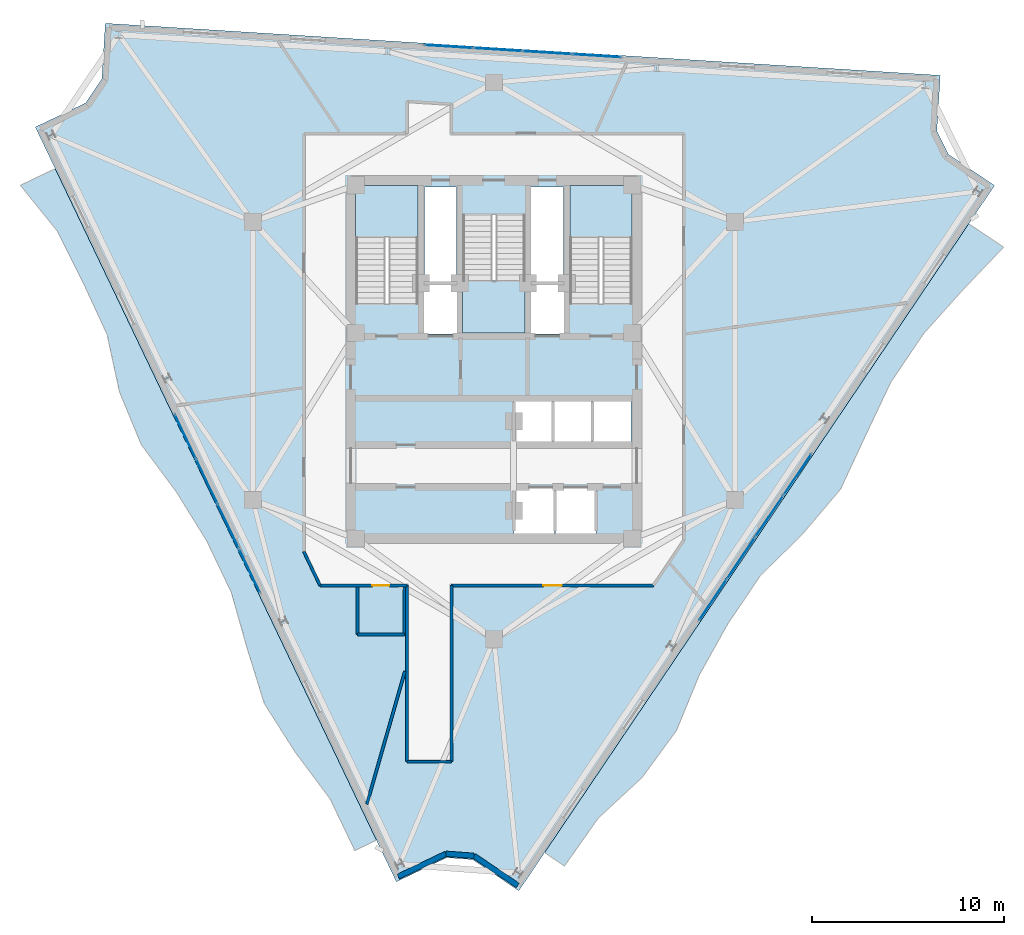
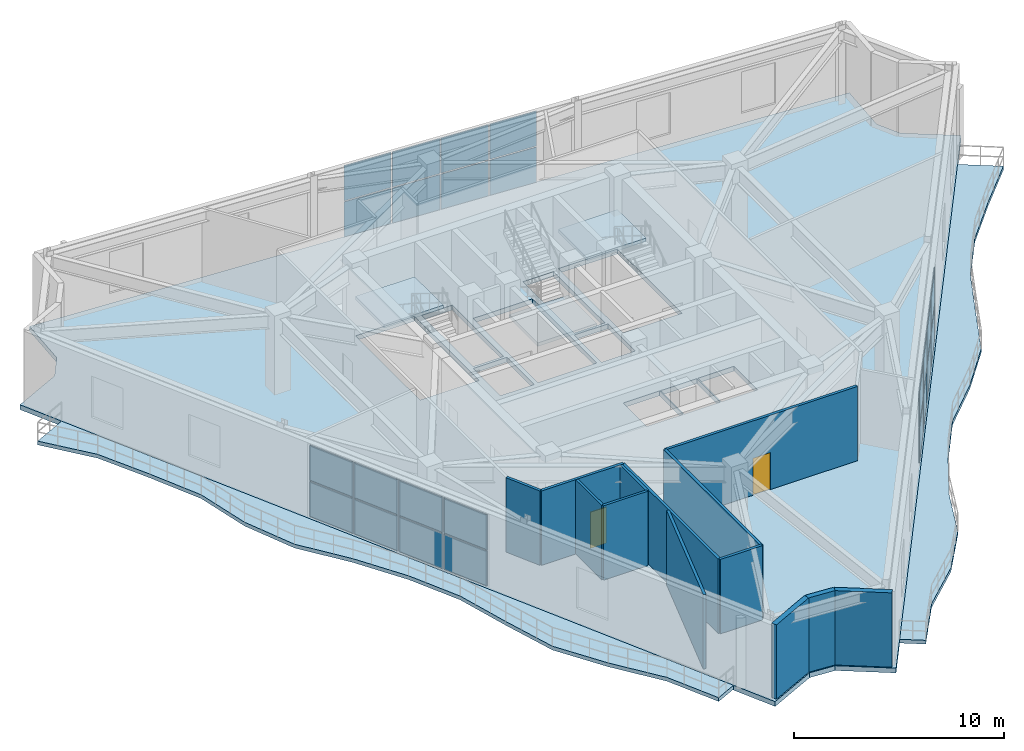
# One storey, part 9 of 15: 24 plates, 13 walls, 6 slabs, 2 doors, 2 openings, 6 elements without a shape of their own.
"""IFC4 building model written with IfcOpenShell, lengths in metres."""

from ifc_helpers import new_model, si_unit, direction, frame, frame_2d, origin, origin_2d, place, context, subcontext, project, spatial, polyline, rectangle, outline, extrude, material, layer, layer_set, type_object, element, fill, aggregate, save


model = new_model("IFC4")

# Units and contexts
model_context = context("Model", 3, precision=1e-05, world=origin(), true_north=direction((0.0, 1.0)))
body_context = subcontext(model_context, "Body", "Model", "MODEL_VIEW")
ifc_project = project(units=[si_unit("LENGTHUNIT", "METRE"), si_unit("AREAUNIT", "SQUARE_METRE"), si_unit("VOLUMEUNIT", "CUBIC_METRE"), si_unit("PLANEANGLEUNIT", "RADIAN"), si_unit("MASSUNIT", "GRAM", prefix="KILO")], contexts=[model_context])

# Site, building, storey
site_placement = place(None, origin())
site = spatial("IfcSite", under=ifc_project, at=site_placement, CompositionType="ELEMENT")
building_placement = place(site_placement, origin())
building = spatial("IfcBuilding", under=site, at=building_placement, Name="Apsidion Concourse Tower", CompositionType="ELEMENT")
storey_placement = place(building_placement, frame((0.0, 0.0, 318.800048828125)))
storey = spatial("IfcBuildingStorey", under=building, at=storey_placement, Name="L75", CompositionType="ELEMENT", Elevation=318.800048828125)

# Curtain wall, plates
ifc_material_1 = material(Name="Insulated laminated low-E glass", Category="glass")
ifc_layer_1 = layer(ifc_material_1, 0.22998046875)
ifc_layer_set_1 = layer_set([ifc_layer_1], Name="Insulated laminated low-E glass")
curtain_wall_type = type_object("IfcCurtainWallType", Name="CW-SYS-05", PredefinedType="NOTDEFINED", material=ifc_layer_set_1)
curtain_wall_1_placement = place(storey_placement, origin())
curtain_wall_1 = element("IfcCurtainWall", 1, at=curtain_wall_1_placement, inside=storey, type_object=curtain_wall_type, Name="L75 Sky Observatory Curtain Wall 1", PredefinedType="NOTDEFINED")
ifc_layer_2 = layer(ifc_material_1, 0.0400390625)
ifc_layer_set_2 = layer_set([ifc_layer_2], Name="Insulated laminated low-E glass")
plate_type = type_object("IfcPlateType", Name="CWP-GLZ-40", PredefinedType="CURTAIN_PANEL", material=ifc_layer_set_2)
plate_1_placement = place(storey_placement, frame((-2.364013671875, 16.383056640625, 0.06494140625), z_axis=(0.0, 0.0, 1.0), x_axis=(0.99806064269, -0.062249124598, 0.0)))
plate_1 = element("IfcPlate", 2, at=plate_1_placement, type_object=plate_type, Name="CW-05 panel 1.1", PredefinedType="CURTAIN_PANEL", context=body_context, shape_type="SweptSolid", body=[
    extrude(rectangle(XDim=2.493408203125, YDim=0.0400390625, at=origin_2d()), origin(), (0.0, 0.0, 1.0), 2.03759765625),
])
plate_2_placement = place(storey_placement, frame((-2.364013671875, 16.383056640625, 2.16748046875), z_axis=(0.0, 0.0, 1.0), x_axis=(0.99806064269, -0.062249124598, 0.0)))
plate_2 = element("IfcPlate", 3, at=plate_2_placement, type_object=plate_type, Name="CW-05 panel 1.2", PredefinedType="CURTAIN_PANEL", context=body_context, shape_type="SweptSolid", body=[
    extrude(rectangle(XDim=2.493408203125, YDim=0.0400390625, at=origin_2d()), origin(), (0.0, 0.0, 1.0), 2.03759765625),
])
plate_3_placement = place(storey_placement, frame((0.20556640625, 16.222900390625, 0.06494140625), z_axis=(0.0, 0.0, 1.0), x_axis=(0.99806064269, -0.062249124598, 0.0)))
plate_3 = element("IfcPlate", 4, at=plate_3_placement, type_object=plate_type, Name="CW-05 panel 2.1", PredefinedType="CURTAIN_PANEL", context=body_context, shape_type="SweptSolid", body=[
    extrude(rectangle(XDim=2.52587890625, YDim=0.0400390625, at=origin_2d()), origin(), (0.0, 0.0, 1.0), 2.03759765625),
])
plate_4_placement = place(storey_placement, frame((0.20556640625, 16.222900390625, 2.16748046875), z_axis=(0.0, 0.0, 1.0), x_axis=(0.99806064269, -0.062249124598, 0.0)))
plate_4 = element("IfcPlate", 5, at=plate_4_placement, type_object=plate_type, Name="CW-05 panel 2.2", PredefinedType="CURTAIN_PANEL", context=body_context, shape_type="SweptSolid", body=[
    extrude(rectangle(XDim=2.52587890625, YDim=0.0400390625, at=origin_2d()), origin(), (0.0, 0.0, 1.0), 2.03759765625),
])
plate_5_placement = place(storey_placement, frame((2.791259765625, 16.0615234375, 0.06494140625), z_axis=(0.0, 0.0, 1.0), x_axis=(0.99806064269, -0.062249124598, 0.0)))
plate_5 = element("IfcPlate", 6, at=plate_5_placement, type_object=plate_type, Name="CW-05 panel 3.1", PredefinedType="CURTAIN_PANEL", context=body_context, shape_type="SweptSolid", body=[
    extrude(rectangle(XDim=2.52587890625, YDim=0.0400390625, at=origin_2d()), origin(), (0.0, 0.0, 1.0), 2.03759765625),
])
plate_6_placement = place(storey_placement, frame((2.791259765625, 16.0615234375, 2.16748046875), z_axis=(0.0, 0.0, 1.0), x_axis=(0.99806064269, -0.062249124598, 0.0)))
plate_6 = element("IfcPlate", 7, at=plate_6_placement, type_object=plate_type, Name="CW-05 panel 3.2", PredefinedType="CURTAIN_PANEL", context=body_context, shape_type="SweptSolid", body=[
    extrude(rectangle(XDim=2.52587890625, YDim=0.0400390625, at=origin_2d()), origin(), (0.0, 0.0, 1.0), 2.03759765625),
])
plate_7_placement = place(storey_placement, frame((5.36083984375, 15.9013671875, 0.06494140625), z_axis=(0.0, 0.0, 1.0), x_axis=(0.99806064269, -0.062249124598, 0.0)))
plate_7 = element("IfcPlate", 8, at=plate_7_placement, type_object=plate_type, Name="CW-05 panel 4.1", PredefinedType="CURTAIN_PANEL", context=body_context, shape_type="SweptSolid", body=[
    extrude(rectangle(XDim=2.493408203125, YDim=0.0400390625, at=origin_2d()), origin(), (0.0, 0.0, 1.0), 2.03759765625),
])
plate_8_placement = place(storey_placement, frame((5.36083984375, 15.9013671875, 2.16748046875), z_axis=(0.0, 0.0, 1.0), x_axis=(0.99806064269, -0.062249124598, 0.0)))
plate_8 = element("IfcPlate", 9, at=plate_8_placement, type_object=plate_type, Name="CW-05 panel 4.2", PredefinedType="CURTAIN_PANEL", context=body_context, shape_type="SweptSolid", body=[
    extrude(rectangle(XDim=2.493408203125, YDim=0.0400390625, at=origin_2d()), origin(), (0.0, 0.0, 1.0), 2.03759765625),
])
aggregate(curtain_wall_1, [plate_1, plate_2, plate_3, plate_4, plate_5, plate_6, plate_7, plate_8])

curtain_wall_2_placement = place(storey_placement, origin())
curtain_wall_2 = element("IfcCurtainWall", 10, at=curtain_wall_2_placement, inside=storey, type_object=curtain_wall_type, Name="L75 Sky Observatory Curtain Wall 5", PredefinedType="NOTDEFINED")
plate_9_placement = place(storey_placement, frame((15.813720703125, -5.9189453125, 0.06494140625), z_axis=(0.0, 0.0, 1.0), x_axis=(-0.559193841437, -0.829036939888, 0.0)))
plate_9 = element("IfcPlate", 11, at=plate_9_placement, type_object=plate_type, Name="CW-05 panel 1.1", PredefinedType="CURTAIN_PANEL", context=body_context, shape_type="SweptSolid", body=[
    extrude(rectangle(XDim=2.537353515625, YDim=0.0400390625, at=origin_2d()), origin(), (0.0, 0.0, 1.0), 2.03759765625),
])
plate_10_placement = place(storey_placement, frame((15.813720703125, -5.9189453125, 2.16748046875), z_axis=(0.0, 0.0, 1.0), x_axis=(-0.559193841437, -0.829036939888, 0.0)))
plate_10 = element("IfcPlate", 12, at=plate_10_placement, type_object=plate_type, Name="CW-05 panel 1.2", PredefinedType="CURTAIN_PANEL", context=body_context, shape_type="SweptSolid", body=[
    extrude(rectangle(XDim=2.537353515625, YDim=0.0400390625, at=origin_2d()), origin(), (0.0, 0.0, 1.0), 2.03759765625),
])
plate_11_placement = place(storey_placement, frame((14.349609375, -8.08984375, 0.06494140625), z_axis=(0.0, 0.0, 1.0), x_axis=(-0.559193841437, -0.829036939888, 0.0)))
plate_11 = element("IfcPlate", 13, at=plate_11_placement, type_object=plate_type, Name="CW-05 panel 2.1", PredefinedType="CURTAIN_PANEL", context=body_context, shape_type="SweptSolid", body=[
    extrude(rectangle(XDim=2.56982421875, YDim=0.0400390625, at=origin_2d()), origin(), (0.0, 0.0, 1.0), 2.03759765625),
])
plate_12_placement = place(storey_placement, frame((14.349609375, -8.08984375, 2.16748046875), z_axis=(0.0, 0.0, 1.0), x_axis=(-0.559193841437, -0.829036939888, 0.0)))
plate_12 = element("IfcPlate", 14, at=plate_12_placement, type_object=plate_type, Name="CW-05 panel 2.2", PredefinedType="CURTAIN_PANEL", context=body_context, shape_type="SweptSolid", body=[
    extrude(rectangle(XDim=2.56982421875, YDim=0.0400390625, at=origin_2d()), origin(), (0.0, 0.0, 1.0), 2.03759765625),
])
plate_13_placement = place(storey_placement, frame((12.876220703125, -10.274169921875, 0.06494140625), z_axis=(0.0, 0.0, 1.0), x_axis=(-0.559193841437, -0.829036939888, 0.0)))
plate_13 = element("IfcPlate", 15, at=plate_13_placement, type_object=plate_type, Name="CW-05 panel 3.1", PredefinedType="CURTAIN_PANEL", context=body_context, shape_type="SweptSolid", body=[
    extrude(rectangle(XDim=2.56982421875, YDim=0.0400390625, at=origin_2d()), origin(), (0.0, 0.0, 1.0), 2.03759765625),
])
plate_14_placement = place(storey_placement, frame((12.876220703125, -10.274169921875, 2.16748046875), z_axis=(0.0, 0.0, 1.0), x_axis=(-0.559193841437, -0.829036939888, 0.0)))
plate_14 = element("IfcPlate", 16, at=plate_14_placement, type_object=plate_type, Name="CW-05 panel 3.2", PredefinedType="CURTAIN_PANEL", context=body_context, shape_type="SweptSolid", body=[
    extrude(rectangle(XDim=2.56982421875, YDim=0.0400390625, at=origin_2d()), origin(), (0.0, 0.0, 1.0), 2.03759765625),
])
plate_15_placement = place(storey_placement, frame((11.411865234375, -12.445068359375, 0.06494140625), z_axis=(0.0, 0.0, 1.0), x_axis=(-0.559193841437, -0.829036939888, 0.0)))
plate_15 = element("IfcPlate", 17, at=plate_15_placement, type_object=plate_type, Name="CW-05 panel 4.1", PredefinedType="CURTAIN_PANEL", context=body_context, shape_type="SweptSolid", body=[
    extrude(rectangle(XDim=2.537353515625, YDim=0.0400390625, at=origin_2d()), origin(), (0.0, 0.0, 1.0), 2.03759765625),
])
plate_16_placement = place(storey_placement, frame((11.411865234375, -12.445068359375, 2.16748046875), z_axis=(0.0, 0.0, 1.0), x_axis=(-0.559193841437, -0.829036939888, 0.0)))
plate_16 = element("IfcPlate", 18, at=plate_16_placement, type_object=plate_type, Name="CW-05 panel 4.2", PredefinedType="CURTAIN_PANEL", context=body_context, shape_type="SweptSolid", body=[
    extrude(rectangle(XDim=2.537353515625, YDim=0.0400390625, at=origin_2d()), origin(), (0.0, 0.0, 1.0), 2.03759765625),
])
aggregate(curtain_wall_2, [plate_9, plate_10, plate_11, plate_12, plate_13, plate_14, plate_15, plate_16])

curtain_wall_3_placement = place(storey_placement, origin())
curtain_wall_3 = element("IfcCurtainWall", 19, at=curtain_wall_3_placement, inside=storey, type_object=curtain_wall_type, Name="L75 Sky Observatory Curtain Wall 9", PredefinedType="NOTDEFINED")
plate_17_placement = place(storey_placement, frame((-12.7353515625, -10.92724609375, 0.06494140625), z_axis=(0.0, 0.0, 1.0), x_axis=(-0.431594801771, 0.902067584544, 0.0)))
plate_17 = element("IfcPlate", 20, at=plate_17_placement, type_object=plate_type, Name="CW-05 panel 1.1", PredefinedType="CURTAIN_PANEL", context=body_context, shape_type="SweptSolid", body=[
    extrude(rectangle(XDim=2.493408203125, YDim=0.0400390625, at=origin_2d()), origin(), (0.0, 0.0, 1.0), 2.03759765625),
])
plate_18_placement = place(storey_placement, frame((-12.7353515625, -10.92724609375, 2.16748046875), z_axis=(0.0, 0.0, 1.0), x_axis=(-0.431594801771, 0.902067584544, 0.0)))
plate_18 = element("IfcPlate", 21, at=plate_18_placement, type_object=plate_type, Name="CW-05 panel 1.2", PredefinedType="CURTAIN_PANEL", context=body_context, shape_type="SweptSolid", body=[
    extrude(rectangle(XDim=2.493408203125, YDim=0.0400390625, at=origin_2d()), origin(), (0.0, 0.0, 1.0), 2.03759765625),
])
plate_19_placement = place(storey_placement, frame((-13.846435546875, -8.60498046875, 0.06494140625), z_axis=(0.0, 0.0, 1.0), x_axis=(-0.431594801771, 0.902067584544, 0.0)))
plate_19 = element("IfcPlate", 22, at=plate_19_placement, type_object=plate_type, Name="CW-05 panel 2.1", PredefinedType="CURTAIN_PANEL", context=body_context, shape_type="SweptSolid", body=[
    extrude(rectangle(XDim=2.52587890625, YDim=0.0400390625, at=origin_2d()), origin(), (0.0, 0.0, 1.0), 2.03759765625),
])
plate_20_placement = place(storey_placement, frame((-13.846435546875, -8.60498046875, 2.16748046875), z_axis=(0.0, 0.0, 1.0), x_axis=(-0.431594801771, 0.902067584544, 0.0)))
plate_20 = element("IfcPlate", 23, at=plate_20_placement, type_object=plate_type, Name="CW-05 panel 2.2", PredefinedType="CURTAIN_PANEL", context=body_context, shape_type="SweptSolid", body=[
    extrude(rectangle(XDim=2.52587890625, YDim=0.0400390625, at=origin_2d()), origin(), (0.0, 0.0, 1.0), 2.03759765625),
])
plate_21_placement = place(storey_placement, frame((-14.964599609375, -6.267822265625, 0.06494140625), z_axis=(0.0, 0.0, 1.0), x_axis=(-0.431594801771, 0.902067584544, 0.0)))
plate_21 = element("IfcPlate", 24, at=plate_21_placement, type_object=plate_type, Name="CW-05 panel 3.1", PredefinedType="CURTAIN_PANEL", context=body_context, shape_type="SweptSolid", body=[
    extrude(rectangle(XDim=2.52587890625, YDim=0.0400390625, at=origin_2d()), origin(), (0.0, 0.0, 1.0), 2.03759765625),
])
plate_22_placement = place(storey_placement, frame((-14.964599609375, -6.267822265625, 2.16748046875), z_axis=(0.0, 0.0, 1.0), x_axis=(-0.431594801771, 0.902067584544, 0.0)))
plate_22 = element("IfcPlate", 25, at=plate_22_placement, type_object=plate_type, Name="CW-05 panel 3.2", PredefinedType="CURTAIN_PANEL", context=body_context, shape_type="SweptSolid", body=[
    extrude(rectangle(XDim=2.52587890625, YDim=0.0400390625, at=origin_2d()), origin(), (0.0, 0.0, 1.0), 2.03759765625),
])
plate_23_placement = place(storey_placement, frame((-16.07568359375, -3.9453125, 0.06494140625), z_axis=(0.0, 0.0, 1.0), x_axis=(-0.431594801771, 0.902067584544, 0.0)))
plate_23 = element("IfcPlate", 26, at=plate_23_placement, type_object=plate_type, Name="CW-05 panel 4.1", PredefinedType="CURTAIN_PANEL", context=body_context, shape_type="SweptSolid", body=[
    extrude(rectangle(XDim=2.493408203125, YDim=0.0400390625, at=origin_2d()), origin(), (0.0, 0.0, 1.0), 2.03759765625),
])
plate_24_placement = place(storey_placement, frame((-16.07568359375, -3.9453125, 2.16748046875), z_axis=(0.0, 0.0, 1.0), x_axis=(-0.431594801771, 0.902067584544, 0.0)))
plate_24 = element("IfcPlate", 27, at=plate_24_placement, type_object=plate_type, Name="CW-05 panel 4.2", PredefinedType="CURTAIN_PANEL", context=body_context, shape_type="SweptSolid", body=[
    extrude(rectangle(XDim=2.493408203125, YDim=0.0400390625, at=origin_2d()), origin(), (0.0, 0.0, 1.0), 2.03759765625),
])
aggregate(curtain_wall_3, [plate_17, plate_18, plate_19, plate_20, plate_21, plate_22, plate_23, plate_24])

# Slabs
ifc_material_2 = material(Name="Concrete C50/60", Category="concrete")
ifc_layer_3 = layer(ifc_material_2, 0.219970703125)
ifc_layer_set_3 = layer_set([ifc_layer_3], Name="Concrete C50/60")
slab_type_1 = type_object("IfcSlabType", Name="SL-BAL-220", PredefinedType="FLOOR", material=ifc_layer_set_3)
slab_1_placement = place(storey_placement, frame((0.0, 0.0, -0.219970703125)))
element("IfcSlab", 28, at=slab_1_placement, inside=storey, type_object=slab_type_1, Name="L75 Face 1 Rippling Balcony Slab", PredefinedType="FLOOR", context=body_context, shape_type="SweptSolid", body=[
    extrude(outline(polyline([(-22.85546875, 10.015869140625), (-21.56787109375, 7.324951171875), (-20.280517578125, 4.634033203125), (-18.992919921875, 1.943115234375), (-17.70556640625, -0.747802734375), (-16.41796875, -3.438720703125), (-15.130615234375, -6.129638671875), (-13.843017578125, -8.820556640625), (-12.555419921875, -11.51171875), (-11.26806640625, -14.202392578125), (-9.980712890625, -16.893310546875), (-8.693115234375, -19.58447265625), (-7.405517578125, -22.275390625), (-6.1181640625, -24.96630859375), (-7.24560546875, -25.505615234375), (-8.533203125, -22.814697265625), (-10.3544921875, -20.37939453125), (-11.9638671875, -17.84228515625), (-12.85791015625, -14.963134765625), (-13.68310546875, -12.051025390625), (-14.970703125, -9.360107421875), (-16.552001953125, -6.809814453125), (-18.364990234375, -4.370361328125), (-19.507080078125, -1.60986328125), (-20.156005859375, 1.38671875), (-21.407958984375, 4.094482421875), (-22.745361328125, 6.76171875), (-24.668212890625, 9.148681640625), (-22.85546875, 10.015869140625)])), origin(), (0.0, 0.0, 1.0), 0.219970703125),
])
slab_2_placement = place(storey_placement, frame((0.0, 0.0, -0.219970703125)))
element("IfcSlab", 29, at=slab_2_placement, inside=storey, type_object=slab_type_1, Name="L75 Face 2 Rippling Balcony Slab", PredefinedType="FLOOR", context=body_context, shape_type="SweptSolid", body=[
    extrude(outline(polyline([(2.639404296875, -25.61181640625), (4.339111328125, -23.091796875), (6.038818359375, -20.572021484375), (7.73828125, -18.052001953125), (9.43798828125, -15.531982421875), (11.1376953125, -13.01220703125), (12.83740234375, -10.4921875), (14.537353515625, -7.972412109375), (16.237060546875, -5.452392578125), (17.936767578125, -2.9326171875), (19.636474609375, -0.41259765625), (21.336181640625, 2.107421875), (23.035888671875, 4.627197265625), (24.735595703125, 7.147216796875), (26.5498046875, 5.923583984375), (24.4208984375, 3.693115234375), (22.372314453125, 1.408447265625), (20.672607421875, -1.111572265625), (19.3564453125, -3.89013671875), (18.056640625, -6.6796875), (16.081298828125, -9.013916015625), (13.873779296875, -11.19140625), (12.174072265625, -13.711181640625), (10.689697265625, -16.376220703125), (9.510986328125, -19.247802734375), (7.71630859375, -21.70361328125), (5.425537109375, -23.82470703125), (3.675537109375, -26.310791015625), (2.639404296875, -25.61181640625)])), origin(), (0.0, 0.0, 1.0), 0.219970703125),
])
ifc_layer_4 = layer(ifc_material_2, 0.280029296875)
ifc_layer_set_4 = layer_set([ifc_layer_4], Name="Concrete C50/60")
slab_type_2 = type_object("IfcSlabType", Name="SL-FLR-280", PredefinedType="FLOOR", material=ifc_layer_set_4)
slab_3_placement = place(storey_placement, frame((0.0, 0.0, -0.280029296875)))
element("IfcSlab", 30, at=slab_3_placement, inside=storey, type_object=slab_type_2, Name="L75 Structural Floor Slab", PredefinedType="FLOOR", context=body_context, shape_type="SweptSolid", body=[
    extrude(outline(polyline([(-20.24365234375, 17.58837890625), (-20.424560546875, 14.688232421875), (-21.27001953125, 13.43505859375), (-23.89111328125, 12.180908203125), (-5.082275390625, -27.131103515625), (-2.461181640625, -25.877197265625), (-1.11181640625, -25.9765625), (1.297119140625, -27.6015625), (26.07763671875, 9.136962890625), (23.668701171875, 10.76171875), (23.07080078125, 11.9755859375), (23.251708984375, 14.875732421875), (-20.24365234375, 17.58837890625)]), holes=[polyline([(-3.949951171875, 3.0), (-3.949951171875, 9.14990234375), (-7.199951171875, 9.14990234375), (-7.199951171875, 3.0), (-3.949951171875, 3.0)]), polyline([(7.199951171875, 3.0), (7.199951171875, 9.14990234375), (3.949951171875, 9.14990234375), (3.949951171875, 3.0), (7.199951171875, 3.0)]), polyline([(-1.625, 7.60009765625), (-1.625, 1.449951171875), (1.625, 1.449951171875), (1.625, 7.60009765625), (-1.625, 7.60009765625)]), polyline([(1.054931640625, -4.300048828125), (3.044921875, -4.300048828125), (3.044921875, -2.050048828125), (1.054931640625, -2.050048828125), (1.054931640625, -4.300048828125)]), polyline([(3.10498046875, -4.300048828125), (5.094970703125, -4.300048828125), (5.094970703125, -2.050048828125), (3.10498046875, -2.050048828125), (3.10498046875, -4.300048828125)]), polyline([(5.155029296875, -4.300048828125), (7.14501953125, -4.300048828125), (7.14501953125, -2.050048828125), (5.155029296875, -2.050048828125), (5.155029296875, -4.300048828125)]), polyline([(1.044921875, -9.0), (3.155029296875, -9.0), (3.155029296875, -6.64990234375), (1.044921875, -6.64990234375), (1.044921875, -9.0)]), polyline([(3.195068359375, -9.0), (5.304931640625, -9.0), (5.304931640625, -6.64990234375), (3.195068359375, -6.64990234375), (3.195068359375, -9.0)]), polyline([(-3.7099609375, 1.39990234375), (-1.85009765625, 1.39990234375), (-1.85009765625, 4.0), (-3.7099609375, 4.0), (-3.7099609375, 1.39990234375)]), polyline([(1.85009765625, 1.39990234375), (3.7099609375, 1.39990234375), (3.7099609375, 4.0), (1.85009765625, 4.0), (1.85009765625, 1.39990234375)]), polyline([(-3.6201171875, 4.14990234375), (-1.93994140625, 4.14990234375), (-1.93994140625, 9.050048828125), (-3.6201171875, 9.050048828125), (-3.6201171875, 4.14990234375)]), polyline([(1.93994140625, 4.14990234375), (3.6201171875, 4.14990234375), (3.6201171875, 9.050048828125), (1.93994140625, 9.050048828125), (1.93994140625, 4.14990234375)])]), origin(), (0.0, 0.0, 1.0), 0.280029296875),
])

# Stair, slab
ifc_material_3 = material(Name="Precast concrete C40/50", Category="concrete")
stair_type = type_object("IfcStairType", Name="ST-DL-1550", PredefinedType="HALF_TURN_STAIR", material=ifc_material_3)
stair_1_placement = place(storey_placement, origin())
stair_1 = element("IfcStair", 31, at=stair_1_placement, inside=storey, type_object=stair_type, Name="L75 Protected Core Exit Stair ST1", PredefinedType="HALF_TURN_STAIR")
ifc_layer_5 = layer(ifc_material_2, 0.199951171875)
ifc_layer_set_5 = layer_set([ifc_layer_5], Name="Concrete C50/60")
slab_type_3 = type_object("IfcSlabType", Name="SL-ST-LAND-200", PredefinedType="LANDING", material=ifc_layer_set_5)
slab_4_placement = place(storey_placement, frame((0.0, 0.0, 2.099853515625)))
slab_4 = element("IfcSlab", 32, at=slab_4_placement, type_object=slab_type_3, Name="ST1 landing 1", PredefinedType="LANDING", context=body_context, shape_type="SweptSolid", body=[
    extrude(outline(polyline([(-3.949951171875, 6.419921875), (-3.949951171875, 9.14990234375), (-7.199951171875, 9.14990234375), (-7.199951171875, 6.419921875), (-3.949951171875, 6.419921875)])), origin(), (0.0, 0.0, 1.0), 0.2001953125),
])
aggregate(stair_1, [slab_4])

stair_2_placement = place(storey_placement, origin())
stair_2 = element("IfcStair", 33, at=stair_2_placement, inside=storey, type_object=stair_type, Name="L75 Protected Core Exit Stair ST2", PredefinedType="HALF_TURN_STAIR")
slab_5_placement = place(storey_placement, frame((0.0, 0.0, 2.099853515625)))
slab_5 = element("IfcSlab", 34, at=slab_5_placement, type_object=slab_type_3, Name="ST2 landing 1", PredefinedType="LANDING", context=body_context, shape_type="SweptSolid", body=[
    extrude(outline(polyline([(7.199951171875, 6.419921875), (7.199951171875, 9.14990234375), (3.949951171875, 9.14990234375), (3.949951171875, 6.419921875), (7.199951171875, 6.419921875)])), origin(), (0.0, 0.0, 1.0), 0.2001953125),
])
aggregate(stair_2, [slab_5])

stair_3_placement = place(storey_placement, origin())
stair_3 = element("IfcStair", 35, at=stair_3_placement, inside=storey, type_object=stair_type, Name="L75 Protected Core Exit Stair ST3", PredefinedType="HALF_TURN_STAIR")
slab_6_placement = place(storey_placement, frame((0.0, 0.0, 2.099853515625)))
slab_6 = element("IfcSlab", 36, at=slab_6_placement, type_object=slab_type_3, Name="ST3 landing 1", PredefinedType="LANDING", context=body_context, shape_type="SweptSolid", body=[
    extrude(outline(polyline([(-1.625, 4.179931640625), (-1.625, 1.449951171875), (1.625, 1.449951171875), (1.625, 4.179931640625), (-1.625, 4.179931640625)])), origin(), (0.0, 0.0, 1.0), 0.2001953125),
])
aggregate(stair_3, [slab_6])

# Walls
ifc_layer_6 = layer(ifc_material_3, 0.280029296875)
ifc_layer_set_6 = layer_set([ifc_layer_6], Name="Precast concrete C40/50")
wall_type_1 = type_object("IfcWallType", Name="WL-EXT-280", PredefinedType="STANDARD", material=ifc_layer_set_6)
wall_1_placement = place(storey_placement, frame((1.2431640625, -27.323974609375, 0.0), z_axis=(0.0, 0.0, 1.0), x_axis=(-0.829015842911, 0.559225117643, 0.0)))
element("IfcWall", 37, at=wall_1_placement, inside=storey, type_object=wall_type_1, Name="L75 Precast Stone Facade Wall 06", PredefinedType="STANDARD", context=body_context, shape_type="SweptSolid", body=[
    extrude(rectangle(XDim=2.759033203125, YDim=0.280029296875, at=frame_2d((1.37939453125, 0.0))), origin(), (0.0, 0.0, 1.0), 4.320068359375),
])
wall_2_placement = place(storey_placement, frame((-1.044189453125, -25.781005859375, 0.0), z_axis=(0.0, 0.0, 1.0), x_axis=(-0.997286893261, 0.073612855735, 0.0)))
element("IfcWall", 38, at=wall_2_placement, inside=storey, type_object=wall_type_1, Name="L75 Precast Stone Facade Wall 07", PredefinedType="STANDARD", context=body_context, shape_type="SweptSolid", body=[
    extrude(rectangle(XDim=1.459228515625, YDim=0.280029296875, at=frame_2d((0.7294921875, 0.0))), origin(), (0.0, 0.0, 1.0), 4.320068359375),
])
wall_3_placement = place(storey_placement, frame((-2.49951171875, -25.673583984375, 0.0), z_axis=(0.0, 0.0, 1.0), x_axis=(-0.902044352952, -0.431643354296, 0.0)))
element("IfcWall", 39, at=wall_3_placement, inside=storey, type_object=wall_type_1, Name="L75 Precast Stone Facade Wall 08", PredefinedType="STANDARD", context=body_context, shape_type="SweptSolid", body=[
    extrude(rectangle(XDim=2.759033203125, YDim=0.280029296875, at=frame_2d((1.37939453125, 0.0))), origin(), (0.0, 0.0, 1.0), 4.320068359375),
])
ifc_material_4 = material(Name="Gypsum plasterboard partition")
ifc_layer_7 = layer(ifc_material_4, 0.139892578125)
ifc_layer_set_7 = layer_set([ifc_layer_7], Name="Gypsum plasterboard partition")
wall_type_2 = type_object("IfcWallType", Name="WL-INT-PAR-140", PredefinedType="PARTITIONING", material=ifc_layer_set_7)
wall_4_placement = place(storey_placement, frame((-4.66796875, -11.780029296875, 0.0), z_axis=(0.0, 0.0, 1.0), x_axis=(0.0, -1.0, 0.0)))
element("IfcWall", 40, at=wall_4_placement, inside=storey, type_object=wall_type_2, Name="L75 Interior Partition WL-L75-CPOD-OBA0-W1", PredefinedType="PARTITIONING", context=body_context, shape_type="SweptSolid", body=[
    extrude(rectangle(XDim=2.469970703125, YDim=0.139892578125, at=frame_2d((1.23486328125, 0.0))), origin(), (0.0, 0.0, 1.0), 4.320068359375),
])
wall_5_placement = place(storey_placement, frame((-4.66796875, -14.25, 0.0), z_axis=(0.0, 0.0, 1.0), x_axis=(-1.0, 0.0, 0.0)))
element("IfcWall", 41, at=wall_5_placement, inside=storey, type_object=wall_type_2, Name="L75 Interior Partition WL-L75-CPOD-OBA0-W2", PredefinedType="PARTITIONING", context=body_context, shape_type="SweptSolid", body=[
    extrude(rectangle(XDim=2.43994140625, YDim=0.139892578125, at=frame_2d((1.219970703125, 0.0))), origin(), (0.0, 0.0, 1.0), 4.320068359375),
])
wall_6_placement = place(storey_placement, frame((-7.10791015625, -14.25, 0.0), z_axis=(0.0, 0.0, 1.0), x_axis=(0.0, 1.0, 0.0)))
element("IfcWall", 42, at=wall_6_placement, inside=storey, type_object=wall_type_2, Name="L75 Interior Partition WL-L75-CPOD-OBA0-W3", PredefinedType="PARTITIONING", context=body_context, shape_type="SweptSolid", body=[
    extrude(rectangle(XDim=2.469970703125, YDim=0.139892578125, at=frame_2d((1.23486328125, 0.0))), origin(), (0.0, 0.0, 1.0), 4.320068359375),
])

# Wall, opening, door
ifc_layer_8 = layer(ifc_material_4, 0.14990234375)
ifc_layer_set_8 = layer_set([ifc_layer_8], Name="Gypsum plasterboard partition")
wall_type_3 = type_object("IfcWallType", Name="WL-INT-PAR-150", PredefinedType="PARTITIONING", material=ifc_layer_set_8)
wall_7_placement = place(storey_placement, frame((-4.530029296875, -11.699951171875, 0.0), z_axis=(0.0, 0.0, 1.0), x_axis=(-1.0, 0.0, 0.0)))
wall_7 = element("IfcWall", 43, at=wall_7_placement, inside=storey, type_object=wall_type_3, Name="L75 Interior Partition WL-L75-CORR-01", PredefinedType="PARTITIONING", context=body_context, shape_type="SweptSolid", body=[
    extrude(rectangle(XDim=4.5263671875, YDim=0.14990234375, at=frame_2d((2.26318359375, 0.0))), origin(), (0.0, 0.0, 1.0), 4.320068359375),
])
opening_1_placement = place(wall_7_placement, frame((0.91796875, 0.0, 0.0)))
opening_1 = element("IfcOpeningElement", 44, at=opening_1_placement, cuts=wall_7, Name="Opening D-03R", PredefinedType="OPENING", context=body_context, shape_type="SweptSolid", body=[
    extrude(rectangle(XDim=0.8798828125, YDim=2.10009765625, at=frame_2d((0.43994140625, 1.050048828125))), frame((0.0, 0.0849609375, 0.0), z_axis=(0.0, -1.0, 0.0), x_axis=(1.0, 0.0, 0.0)), (0.0, 0.0, 1.0), 0.169921875),
])
ifc_material_5 = material(Name="Anodised aluminium EN AW-6063 T6", Category="aluminium")
door_type_1 = type_object("IfcDoorType", Name="DR-INT-D03R", OperationType="SINGLE_SWING_RIGHT", PredefinedType="DOOR", material=ifc_material_5)
door_1_placement = place(opening_1_placement, origin())
door_1 = element("IfcDoor", 45, at=door_1_placement, inside=storey, type_object=door_type_1, Name="L75 Observatory Accessible WC Door", OperationType="SINGLE_SWING_RIGHT", OverallHeight=2.10009765625, OverallWidth=0.8798828125, PredefinedType="DOOR", context=body_context, shape_type="SweptSolid", body=[
    extrude(rectangle(XDim=0.8798828125, YDim=2.10009765625, at=frame_2d((0.43994140625, 1.050048828125))), frame((0.0, 0.02490234375, 0.0), z_axis=(0.0, -1.0, 0.0), x_axis=(1.0, 0.0, 0.0)), (0.0, 0.0, 1.0), 0.050048828125),
])
fill(opening_1, door_1)

# Wall
wall_8_placement = place(storey_placement, frame((-9.056396484375, -11.699951171875, 0.0), z_axis=(0.0, 0.0, 1.0), x_axis=(-0.431605782187, 0.902062330875, 0.0)))
element("IfcWall", 46, at=wall_8_placement, inside=storey, type_object=wall_type_3, Name="L75 Interior Partition WL-L75-CORR-02", PredefinedType="PARTITIONING", context=body_context, shape_type="SweptSolid", body=[
    extrude(rectangle(XDim=1.954345703125, YDim=0.14990234375, at=frame_2d((0.97705078125, 0.0))), origin(), (0.0, 0.0, 1.0), 4.320068359375),
])

# Wall, opening, door
wall_9_placement = place(storey_placement, frame((8.313720703125, -11.699951171875, 0.0), z_axis=(0.0, 0.0, 1.0), x_axis=(-1.0, 0.0, 0.0)))
wall_9 = element("IfcWall", 47, at=wall_9_placement, inside=storey, type_object=wall_type_3, Name="L75 Interior Partition WL-L75-CORR-11", PredefinedType="PARTITIONING", context=body_context, shape_type="SweptSolid", body=[
    extrude(rectangle(XDim=10.53369140625, YDim=0.14990234375, at=frame_2d((5.266845703125, 0.0))), origin(), (0.0, 0.0, 1.0), 4.320068359375),
])
opening_2_placement = place(wall_9_placement, frame((4.7919921875, 0.0, 0.0)))
opening_2 = element("IfcOpeningElement", 48, at=opening_2_placement, cuts=wall_9, Name="Opening D-01R", PredefinedType="OPENING", context=body_context, shape_type="SweptSolid", body=[
    extrude(rectangle(XDim=0.949951171875, YDim=2.14990234375, at=frame_2d((0.47509765625, 1.074951171875))), frame((0.0, 0.0849609375, 0.0), z_axis=(0.0, -1.0, 0.0), x_axis=(1.0, 0.0, 0.0)), (0.0, 0.0, 1.0), 0.169921875),
])
ifc_material_6 = material(Name="Brushed stainless steel 316", Category="steel")
door_type_2 = type_object("IfcDoorType", Name="DR-INT-D01R", OperationType="SINGLE_SWING_RIGHT", PredefinedType="DOOR", material=ifc_material_6)
door_2_placement = place(opening_2_placement, origin())
door_2 = element("IfcDoor", 49, at=door_2_placement, inside=storey, type_object=door_type_2, Name="L75 Corridor Entry Door 02", OperationType="SINGLE_SWING_RIGHT", OverallHeight=2.14990234375, OverallWidth=0.949951171875, PredefinedType="DOOR", context=body_context, shape_type="SweptSolid", body=[
    extrude(rectangle(XDim=0.949951171875, YDim=2.14990234375, at=frame_2d((0.47509765625, 1.074951171875))), frame((0.0, 0.02490234375, 0.0), z_axis=(0.0, -1.0, 0.0), x_axis=(1.0, 0.0, 0.0)), (0.0, 0.0, 1.0), 0.050048828125),
])
fill(opening_2, door_2)

# Walls
wall_10_placement = place(storey_placement, frame((-2.219970703125, -11.699951171875, 0.0), z_axis=(0.0, 0.0, 1.0), x_axis=(0.0, -1.0, 0.0)))
element("IfcWall", 50, at=wall_10_placement, inside=storey, type_object=wall_type_3, Name="L75 Interior Partition WL-L75-CORR-12", PredefinedType="PARTITIONING", context=body_context, shape_type="SweptSolid", body=[
    extrude(rectangle(XDim=9.179931640625, YDim=0.14990234375, at=frame_2d((4.58984375, 0.0))), origin(), (0.0, 0.0, 1.0), 4.320068359375),
])
wall_11_placement = place(storey_placement, frame((-2.219970703125, -20.8798828125, 0.0), z_axis=(0.0, 0.0, 1.0), x_axis=(-1.0, 0.0, 0.0)))
element("IfcWall", 51, at=wall_11_placement, inside=storey, type_object=wall_type_3, Name="L75 Interior Partition WL-L75-CORR-13", PredefinedType="PARTITIONING", context=body_context, shape_type="SweptSolid", body=[
    extrude(rectangle(XDim=2.31005859375, YDim=0.14990234375, at=frame_2d((1.155029296875, 0.0))), origin(), (0.0, 0.0, 1.0), 4.320068359375),
])
wall_12_placement = place(storey_placement, frame((-4.530029296875, -20.8798828125, 0.0), z_axis=(0.0, 0.0, 1.0), x_axis=(0.0, 1.0, 0.0)))
element("IfcWall", 52, at=wall_12_placement, inside=storey, type_object=wall_type_3, Name="L75 Interior Partition WL-L75-CORR-14", PredefinedType="PARTITIONING", context=body_context, shape_type="SweptSolid", body=[
    extrude(rectangle(XDim=9.179931640625, YDim=0.14990234375, at=frame_2d((4.58984375, 0.0))), origin(), (0.0, 0.0, 1.0), 4.320068359375),
])
wall_13_placement = place(storey_placement, frame((-4.635009765625, -16.164306640625, 0.0), z_axis=(0.0, 0.0, 1.0), x_axis=(-0.275624824413, -0.961265289172, 0.0)))
element("IfcWall", 53, at=wall_13_placement, inside=storey, type_object=wall_type_3, Name="L75 Interior Partition WL-L75-RAD-04-1", PredefinedType="PARTITIONING", context=body_context, shape_type="SweptSolid", body=[
    extrude(rectangle(XDim=7.20654296875, YDim=0.14990234375, at=frame_2d((3.603271484375, 0.0))), origin(), (0.0, 0.0, 1.0), 4.320068359375),
])

save(model, "model.ifc")
